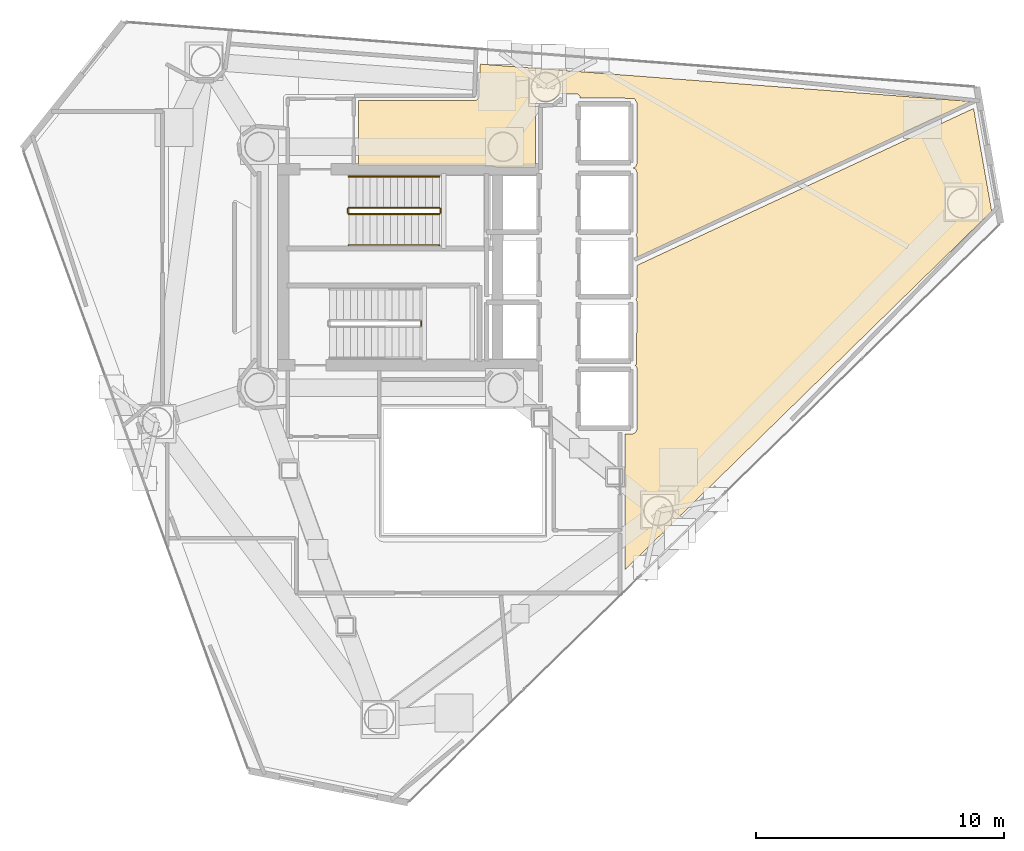
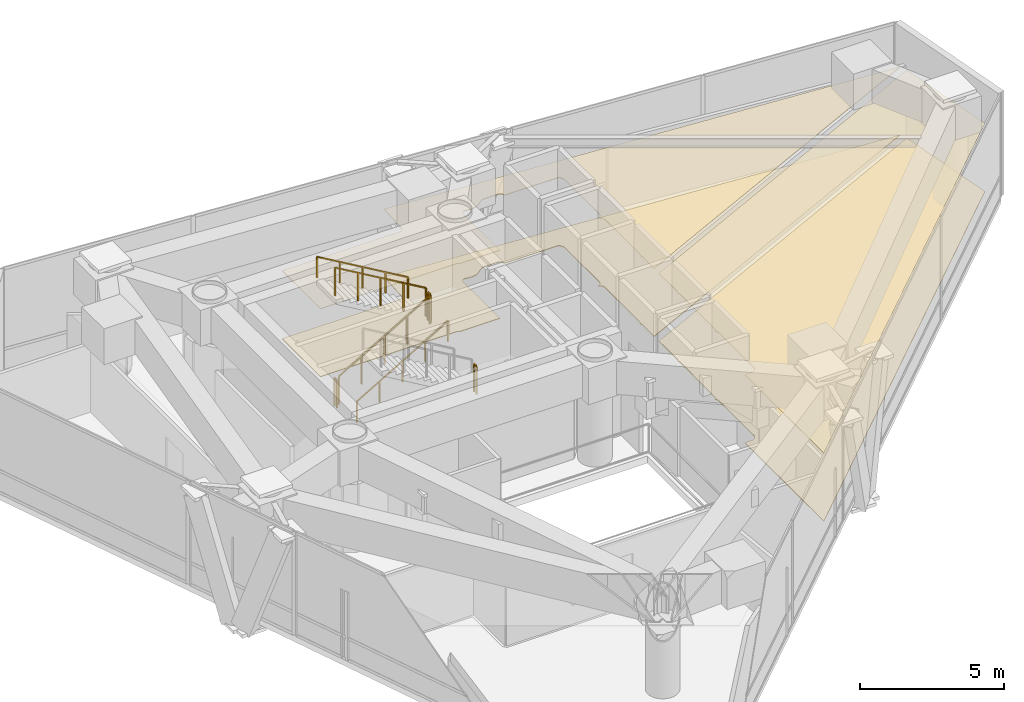
# One storey, part 20 of 20: 7 railings, 4 coverings.
"""IFC4 building model written with IfcOpenShell, lengths in metres."""

from ifc_helpers import new_model, si_unit, direction, frame, origin, origin_2d, place, context, subcontext, project, spatial, polyline, rectangle, outline, extrude, material, layer, layer_set, type_object, element, save


model = new_model("IFC4")

# Units and contexts
model_context = context("Model", 3, precision=1e-05, world=origin(), true_north=direction((0.0, 1.0)))
body_context = subcontext(model_context, "Body", "Model", "MODEL_VIEW")
ifc_project = project(units=[si_unit("LENGTHUNIT", "METRE"), si_unit("AREAUNIT", "SQUARE_METRE"), si_unit("VOLUMEUNIT", "CUBIC_METRE"), si_unit("PLANEANGLEUNIT", "RADIAN"), si_unit("MASSUNIT", "GRAM", prefix="KILO")], contexts=[model_context])

# Site, building, storey
site_placement = place(None, origin())
site = spatial("IfcSite", under=ifc_project, at=site_placement, CompositionType="ELEMENT")
building_placement = place(site_placement, origin())
building = spatial("IfcBuilding", under=site, at=building_placement, Name="Qianvela Tower", CompositionType="ELEMENT")
storey_placement = place(building_placement, frame((0.0, 0.0, 229.89990234375)))
storey = spatial("IfcBuildingStorey", under=building, at=storey_placement, Name="L59", CompositionType="ELEMENT", Elevation=229.89990234375)

# Coverings
ifc_material_1 = material(Name="Perforated Mineral Acoustic Ceiling Tile")
ifc_layer_1 = layer(ifc_material_1, 0.02490234375)
ifc_layer_set_1 = layer_set([ifc_layer_1], Name="Perforated Mineral Acoustic Ceiling Tile")
covering_type_1 = type_object("IfcCoveringType", Name="COV-CEIL-ACOUSTIC-25", PredefinedType="CEILING", material=ifc_layer_set_1)
covering_1_placement = place(storey_placement, frame((0.0, 0.0, 2.875)))
element("IfcCovering", 1, at=covering_1_placement, inside=storey, type_object=covering_type_1, Name="L59 Acoustic Ceiling L59 Fire Refuge Area 3", PredefinedType="CEILING", context=body_context, shape_type="SweptSolid", body=[
    extrude(outline(polyline([(43.640380859375, 32.699951171875), (43.722412109375, 32.739013671875), (43.729248046875, 32.74267578125), (43.73583984375, 32.746826171875), (43.741943359375, 32.751953125), (43.74755859375, 32.757568359375), (43.75244140625, 32.763427734375), (43.7568359375, 32.77001953125), (43.760498046875, 32.777099609375), (43.763427734375, 32.7841796875), (43.79541015625, 32.873046875), (43.7978515625, 32.8818359375), (43.799560546875, 32.890869140625), (43.800048828125, 32.89990234375), (43.800048828125, 35.300048828125), (43.7998046875, 35.30712890625), (43.798583984375, 35.314208984375), (43.797119140625, 35.3212890625), (43.794921875, 35.328125), (43.7919921875, 35.334716796875), (43.78857421875, 35.341064453125), (43.714599609375, 35.464599609375), (43.710205078125, 35.471435546875), (43.704833984375, 35.477783203125), (43.698974609375, 35.4833984375), (43.692626953125, 35.488525390625), (43.685791015625, 35.492919921875), (43.678466796875, 35.49658203125), (43.670654296875, 35.49951171875), (43.662841796875, 35.501708984375), (43.65478515625, 35.5029296875), (43.646484375, 35.50341796875), (41.515625, 35.519287109375), (41.513916015625, 35.554931640625), (41.512939453125, 35.563232421875), (41.51123046875, 35.5712890625), (41.508544921875, 35.5791015625), (41.50537109375, 35.5869140625), (41.501220703125, 35.593994140625), (41.496337890625, 35.6005859375), (41.49072265625, 35.60693359375), (41.484619140625, 35.612548828125), (41.426513671875, 35.660400390625), (41.420166015625, 35.6650390625), (41.413330078125, 35.6689453125), (41.40625, 35.67236328125), (41.39892578125, 35.675048828125), (41.391357421875, 35.677001953125), (41.383544921875, 35.677978515625), (41.375732421875, 35.678466796875), (40.750244140625, 35.679931640625), (40.742919921875, 35.6796875), (40.7353515625, 35.6787109375), (40.728271484375, 35.677001953125), (40.72119140625, 35.674560546875), (40.71435546875, 35.671630859375), (40.7080078125, 35.668212890625), (40.701904296875, 35.663818359375), (40.361083984375, 35.406982421875), (40.127197265625, 35.3603515625), (39.85107421875, 35.393310546875), (39.843505859375, 35.393798828125), (39.835693359375, 35.393798828125), (39.828125, 35.392822265625), (39.820556640625, 35.39111328125), (39.813232421875, 35.388916015625), (39.80615234375, 35.3857421875), (39.799560546875, 35.382080078125), (39.793212890625, 35.377685546875), (39.787109375, 35.37255859375), (39.781982421875, 35.3671875), (39.777099609375, 35.361083984375), (39.772705078125, 35.354736328125), (39.731201171875, 35.28466796875), (39.727294921875, 35.277099609375), (39.72412109375, 35.26904296875), (39.7216796875, 35.2607421875), (39.720458984375, 35.252197265625), (39.719970703125, 35.243896484375), (39.719970703125, 32.719970703125), (38.125, 32.719970703125), (38.03369140625, 32.762451171875), (38.025634765625, 32.765625), (38.017333984375, 32.76806640625), (38.0087890625, 32.76953125), (38.0, 32.77001953125), (32.580078125, 32.77001953125), (32.580078125, 35.420654296875), (37.3037109375, 35.42333984375), (37.311767578125, 35.423583984375), (37.31982421875, 35.4248046875), (37.32763671875, 35.427001953125), (37.335205078125, 35.4296875), (37.34228515625, 35.433349609375), (37.349365234375, 35.4375), (37.355712890625, 35.4423828125), (37.361572265625, 35.447998046875), (37.36669921875, 35.4541015625), (37.424072265625, 35.52783203125), (37.4287109375, 35.53466796875), (37.432861328125, 35.5419921875), (37.43603515625, 35.549560546875), (37.4384765625, 35.5576171875), (37.440185546875, 35.565673828125), (37.44091796875, 35.573974609375), (37.490478515625, 36.881103515625), (57.25390625, 35.376953125), (43.800048828125, 29.103271484375), (43.800048828125, 29.89990234375), (43.799560546875, 29.907958984375), (43.79833984375, 29.915771484375), (43.79638671875, 29.923583984375), (43.793701171875, 29.93115234375), (43.7646484375, 30.0), (43.793701171875, 30.06884765625), (43.79638671875, 30.076416015625), (43.79833984375, 30.084228515625), (43.799560546875, 30.092041015625), (43.800048828125, 30.10009765625), (43.800048828125, 32.5), (43.799560546875, 32.509033203125), (43.7978515625, 32.518310546875), (43.79541015625, 32.527099609375), (43.763427734375, 32.61572265625), (43.760498046875, 32.623046875), (43.7568359375, 32.6298828125), (43.75244140625, 32.636474609375), (43.74755859375, 32.642578125), (43.741943359375, 32.648193359375), (43.73583984375, 32.653076171875), (43.729248046875, 32.657470703125), (43.722412109375, 32.6611328125), (43.640380859375, 32.699951171875)])), origin(), (0.0, 0.0, 1.0), 0.025146484375),
])
covering_2_placement = place(storey_placement, frame((0.0, 0.0, 2.875)))
element("IfcCovering", 2, at=covering_2_placement, inside=storey, type_object=covering_type_1, Name="L59 Acoustic Ceiling L59 Hydronic Heat Exchanger and Fire Pump Room", PredefinedType="CEILING", context=body_context, shape_type="SweptSolid", body=[
    extrude(outline(polyline([(43.309326171875, 21.980712890625), (43.60791015625, 21.982666015625), (43.615478515625, 21.983154296875), (43.623291015625, 21.984375), (43.630859375, 21.986083984375), (43.637939453125, 21.98876953125), (43.64501953125, 21.9921875), (43.716796875, 22.030517578125), (43.723388671875, 22.034423828125), (43.729736328125, 22.039306640625), (43.735595703125, 22.04443359375), (43.74072265625, 22.05029296875), (43.74560546875, 22.056640625), (43.74951171875, 22.063232421875), (43.787841796875, 22.135009765625), (43.791259765625, 22.14208984375), (43.7939453125, 22.1494140625), (43.7958984375, 22.156982421875), (43.796875, 22.164794921875), (43.79736328125, 22.1728515625), (43.7939453125, 24.640625), (43.79345703125, 24.649169921875), (43.792236328125, 24.65771484375), (43.789794921875, 24.665771484375), (43.786865234375, 24.673583984375), (43.782958984375, 24.68115234375), (43.7783203125, 24.688232421875), (43.728271484375, 24.755615234375), (43.74462890625, 24.765380859375), (43.75146484375, 24.77001953125), (43.7578125, 24.775146484375), (43.763427734375, 24.781005859375), (43.7685546875, 24.787353515625), (43.77294921875, 24.794189453125), (43.776611328125, 24.8017578125), (43.779541015625, 24.809326171875), (43.78173828125, 24.817138671875), (43.782958984375, 24.8251953125), (43.783447265625, 24.83349609375), (43.800048828125, 27.299560546875), (43.799560546875, 27.3076171875), (43.798583984375, 27.315673828125), (43.79638671875, 27.323486328125), (43.793701171875, 27.3310546875), (43.7646484375, 27.39990234375), (43.793701171875, 27.468994140625), (43.79638671875, 27.476318359375), (43.79833984375, 27.484130859375), (43.799560546875, 27.491943359375), (43.800048828125, 27.5), (43.800048828125, 28.772216796875), (57.358154296875, 35.094482421875), (58.086669921875, 30.9541015625), (43.31005859375, 16.5078125), (43.309326171875, 21.980712890625)])), origin(), (0.0, 0.0, 1.0), 0.025146484375),
])
ifc_material_2 = material(Name="Honed Stone Terrazzo Flooring", Category="masonry")
ifc_layer_2 = layer(ifc_material_2, 0.030029296875)
ifc_layer_set_2 = layer_set([ifc_layer_2], Name="Honed Stone Terrazzo Flooring")
covering_type_2 = type_object("IfcCoveringType", Name="COV-FLOOR-TERRAZZO-30", PredefinedType="FLOORING", material=ifc_layer_set_2)
covering_3_placement = place(storey_placement, origin())
element("IfcCovering", 3, at=covering_3_placement, inside=storey, type_object=covering_type_2, Name="L59 Finish Flooring L59 Fire Refuge Area 3", PredefinedType="FLOORING", context=body_context, shape_type="SweptSolid", body=[
    extrude(outline(polyline([(43.640380859375, 32.699951171875), (43.722412109375, 32.739013671875), (43.729248046875, 32.74267578125), (43.73583984375, 32.746826171875), (43.741943359375, 32.751953125), (43.74755859375, 32.757568359375), (43.75244140625, 32.763427734375), (43.7568359375, 32.77001953125), (43.760498046875, 32.777099609375), (43.763427734375, 32.7841796875), (43.79541015625, 32.873046875), (43.7978515625, 32.8818359375), (43.799560546875, 32.890869140625), (43.800048828125, 32.89990234375), (43.800048828125, 35.300048828125), (43.7998046875, 35.30712890625), (43.798583984375, 35.314208984375), (43.797119140625, 35.3212890625), (43.794921875, 35.328125), (43.7919921875, 35.334716796875), (43.78857421875, 35.341064453125), (43.714599609375, 35.464599609375), (43.710205078125, 35.471435546875), (43.704833984375, 35.477783203125), (43.698974609375, 35.4833984375), (43.692626953125, 35.488525390625), (43.685791015625, 35.492919921875), (43.678466796875, 35.49658203125), (43.670654296875, 35.49951171875), (43.662841796875, 35.501708984375), (43.65478515625, 35.5029296875), (43.646484375, 35.50341796875), (41.515625, 35.519287109375), (41.513916015625, 35.554931640625), (41.512939453125, 35.563232421875), (41.51123046875, 35.5712890625), (41.508544921875, 35.5791015625), (41.50537109375, 35.5869140625), (41.501220703125, 35.593994140625), (41.496337890625, 35.6005859375), (41.49072265625, 35.60693359375), (41.484619140625, 35.612548828125), (41.426513671875, 35.660400390625), (41.420166015625, 35.6650390625), (41.413330078125, 35.6689453125), (41.40625, 35.67236328125), (41.39892578125, 35.675048828125), (41.391357421875, 35.677001953125), (41.383544921875, 35.677978515625), (41.375732421875, 35.678466796875), (40.750244140625, 35.679931640625), (40.742919921875, 35.6796875), (40.7353515625, 35.6787109375), (40.728271484375, 35.677001953125), (40.72119140625, 35.674560546875), (40.71435546875, 35.671630859375), (40.7080078125, 35.668212890625), (40.701904296875, 35.663818359375), (40.361083984375, 35.406982421875), (40.127197265625, 35.3603515625), (39.85107421875, 35.393310546875), (39.843505859375, 35.393798828125), (39.835693359375, 35.393798828125), (39.828125, 35.392822265625), (39.820556640625, 35.39111328125), (39.813232421875, 35.388916015625), (39.80615234375, 35.3857421875), (39.799560546875, 35.382080078125), (39.793212890625, 35.377685546875), (39.787109375, 35.37255859375), (39.781982421875, 35.3671875), (39.777099609375, 35.361083984375), (39.772705078125, 35.354736328125), (39.731201171875, 35.28466796875), (39.727294921875, 35.277099609375), (39.72412109375, 35.26904296875), (39.7216796875, 35.2607421875), (39.720458984375, 35.252197265625), (39.719970703125, 35.243896484375), (39.719970703125, 32.719970703125), (38.125, 32.719970703125), (38.03369140625, 32.762451171875), (38.025634765625, 32.765625), (38.017333984375, 32.76806640625), (38.0087890625, 32.76953125), (38.0, 32.77001953125), (32.580078125, 32.77001953125), (32.580078125, 35.420654296875), (37.3037109375, 35.42333984375), (37.311767578125, 35.423583984375), (37.31982421875, 35.4248046875), (37.32763671875, 35.427001953125), (37.335205078125, 35.4296875), (37.34228515625, 35.433349609375), (37.349365234375, 35.4375), (37.355712890625, 35.4423828125), (37.361572265625, 35.447998046875), (37.36669921875, 35.4541015625), (37.424072265625, 35.52783203125), (37.4287109375, 35.53466796875), (37.432861328125, 35.5419921875), (37.43603515625, 35.549560546875), (37.4384765625, 35.5576171875), (37.440185546875, 35.565673828125), (37.44091796875, 35.573974609375), (37.490478515625, 36.881103515625), (57.25390625, 35.376953125), (43.800048828125, 29.103271484375), (43.800048828125, 29.89990234375), (43.799560546875, 29.907958984375), (43.79833984375, 29.915771484375), (43.79638671875, 29.923583984375), (43.793701171875, 29.93115234375), (43.7646484375, 30.0), (43.793701171875, 30.06884765625), (43.79638671875, 30.076416015625), (43.79833984375, 30.084228515625), (43.799560546875, 30.092041015625), (43.800048828125, 30.10009765625), (43.800048828125, 32.5), (43.799560546875, 32.509033203125), (43.7978515625, 32.518310546875), (43.79541015625, 32.527099609375), (43.763427734375, 32.61572265625), (43.760498046875, 32.623046875), (43.7568359375, 32.6298828125), (43.75244140625, 32.636474609375), (43.74755859375, 32.642578125), (43.741943359375, 32.648193359375), (43.73583984375, 32.653076171875), (43.729248046875, 32.657470703125), (43.722412109375, 32.6611328125), (43.640380859375, 32.699951171875)])), origin(), (0.0, 0.0, 1.0), 0.030029296875),
])
covering_4_placement = place(storey_placement, origin())
element("IfcCovering", 4, at=covering_4_placement, inside=storey, type_object=covering_type_2, Name="L59 Finish Flooring L59 Hydronic Heat Exchanger and Fire Pump Room", PredefinedType="FLOORING", context=body_context, shape_type="SweptSolid", body=[
    extrude(outline(polyline([(43.309326171875, 21.980712890625), (43.60791015625, 21.982666015625), (43.615478515625, 21.983154296875), (43.623291015625, 21.984375), (43.630859375, 21.986083984375), (43.637939453125, 21.98876953125), (43.64501953125, 21.9921875), (43.716796875, 22.030517578125), (43.723388671875, 22.034423828125), (43.729736328125, 22.039306640625), (43.735595703125, 22.04443359375), (43.74072265625, 22.05029296875), (43.74560546875, 22.056640625), (43.74951171875, 22.063232421875), (43.787841796875, 22.135009765625), (43.791259765625, 22.14208984375), (43.7939453125, 22.1494140625), (43.7958984375, 22.156982421875), (43.796875, 22.164794921875), (43.79736328125, 22.1728515625), (43.7939453125, 24.640625), (43.79345703125, 24.649169921875), (43.792236328125, 24.65771484375), (43.789794921875, 24.665771484375), (43.786865234375, 24.673583984375), (43.782958984375, 24.68115234375), (43.7783203125, 24.688232421875), (43.728271484375, 24.755615234375), (43.74462890625, 24.765380859375), (43.75146484375, 24.77001953125), (43.7578125, 24.775146484375), (43.763427734375, 24.781005859375), (43.7685546875, 24.787353515625), (43.77294921875, 24.794189453125), (43.776611328125, 24.8017578125), (43.779541015625, 24.809326171875), (43.78173828125, 24.817138671875), (43.782958984375, 24.8251953125), (43.783447265625, 24.83349609375), (43.800048828125, 27.299560546875), (43.799560546875, 27.3076171875), (43.798583984375, 27.315673828125), (43.79638671875, 27.323486328125), (43.793701171875, 27.3310546875), (43.7646484375, 27.39990234375), (43.793701171875, 27.468994140625), (43.79638671875, 27.476318359375), (43.79833984375, 27.484130859375), (43.799560546875, 27.491943359375), (43.800048828125, 27.5), (43.800048828125, 28.772216796875), (57.358154296875, 35.094482421875), (58.086669921875, 30.9541015625), (43.31005859375, 16.5078125), (43.309326171875, 21.980712890625)])), origin(), (0.0, 0.0, 1.0), 0.030029296875),
])

# Railings
ifc_material_3 = material(Name="Painted Tubular Steel Q355B", Category="steel")
railing_type_1 = type_object("IfcRailingType", Name="RL-STAIR-GUARD-1200", PredefinedType="GUARDRAIL", material=ifc_material_3)
railing_1_placement = place(storey_placement, frame((32.199951171875, 30.840087890625, 0.164306640625)))
element("IfcRailing", 5, at=railing_1_placement, inside=storey, type_object=railing_type_1, Name="L59 ST-1 stair guard 1", PredefinedType="GUARDRAIL", context=body_context, shape_type="SweptSolid", body=[
    extrude(rectangle(XDim=0.050048828125, YDim=0.0400390625, at=origin_2d()), frame((0.0, 0.0, 1.179931640625), z_axis=(0.862504707072, 0.0, 0.506049039401), x_axis=(0.0, 1.0, 0.0)), (0.0, 0.0, 1.0), 4.220458984375),
    extrude(rectangle(XDim=0.050048828125, YDim=0.050048828125, at=origin_2d()), origin(), (0.0, 0.0, 1.0), 1.159912109375),
    extrude(rectangle(XDim=0.050048828125, YDim=0.050048828125, at=origin_2d()), frame((0.91015625, 0.0, 0.533935546875)), (0.0, 0.0, 1.0), 1.159912109375),
    extrude(rectangle(XDim=0.050048828125, YDim=0.050048828125, at=origin_2d()), frame((1.820068359375, 0.0, 1.06787109375)), (0.0, 0.0, 1.0), 1.159912109375),
    extrude(rectangle(XDim=0.050048828125, YDim=0.050048828125, at=origin_2d()), frame((2.72998046875, 0.0, 1.601806640625)), (0.0, 0.0, 1.0), 1.159912109375),
    extrude(rectangle(XDim=0.050048828125, YDim=0.050048828125, at=origin_2d()), frame((3.64013671875, 0.0, 2.1357421875)), (0.0, 0.0, 1.0), 1.159912109375),
])
railing_2_placement = place(storey_placement, frame((35.889892578125, 30.889892578125, 2.300048828125)))
element("IfcRailing", 6, at=railing_2_placement, inside=storey, type_object=railing_type_1, Name="L59 ST-1 stair guard 2", PredefinedType="GUARDRAIL", context=body_context, shape_type="SweptSolid", body=[
    extrude(rectangle(XDim=0.050048828125, YDim=0.0400390625, at=origin_2d()), frame((0.0, 0.0, 1.179931640625), z_axis=(0.0, 1.0, 0.0), x_axis=(-1.0, 0.0, 0.0)), (0.0, 0.0, 1.0), 0.16015625),
    extrude(rectangle(XDim=0.050048828125, YDim=0.050048828125, at=origin_2d()), origin(), (0.0, 0.0, 1.0), 1.159912109375),
    extrude(rectangle(XDim=0.050048828125, YDim=0.050048828125, at=origin_2d()), frame((0.0, 0.16015625, 0.0)), (0.0, 0.0, 1.0), 1.159912109375),
])
railing_3_placement = place(storey_placement, frame((35.840087890625, 31.10009765625, 2.46435546875)))
element("IfcRailing", 7, at=railing_3_placement, inside=storey, type_object=railing_type_1, Name="L59 ST-1 stair guard 3", PredefinedType="GUARDRAIL", context=body_context, shape_type="SweptSolid", body=[
    extrude(rectangle(XDim=0.050048828125, YDim=0.0400390625, at=origin_2d()), frame((0.0, 0.0, 1.179931640625), z_axis=(-0.862504707072, 0.0, 0.506049039401), x_axis=(0.0, -1.0, 0.0)), (0.0, 0.0, 1.0), 4.220458984375),
    extrude(rectangle(XDim=0.050048828125, YDim=0.050048828125, at=origin_2d()), origin(), (0.0, 0.0, 1.0), 1.159912109375),
    extrude(rectangle(XDim=0.050048828125, YDim=0.050048828125, at=origin_2d()), frame((-0.91015625, 0.0, 0.533935546875)), (0.0, 0.0, 1.0), 1.159912109375),
    extrude(rectangle(XDim=0.050048828125, YDim=0.050048828125, at=origin_2d()), frame((-1.820068359375, 0.0, 1.06787109375)), (0.0, 0.0, 1.0), 1.159912109375),
    extrude(rectangle(XDim=0.050048828125, YDim=0.050048828125, at=origin_2d()), frame((-2.72998046875, 0.0, 1.601806640625)), (0.0, 0.0, 1.0), 1.159912109375),
    extrude(rectangle(XDim=0.050048828125, YDim=0.050048828125, at=origin_2d()), frame((-3.64013671875, 0.0, 2.1357421875)), (0.0, 0.0, 1.0), 1.159912109375),
])
railing_4_placement = place(storey_placement, frame((32.14990234375, 30.889892578125, 0.0)))
element("IfcRailing", 8, at=railing_4_placement, inside=storey, type_object=railing_type_1, Name="L59 ST-1 stair guard 4", PredefinedType="GUARDRAIL", context=body_context, shape_type="SweptSolid", body=[
    extrude(rectangle(XDim=0.050048828125, YDim=0.0400390625, at=origin_2d()), frame((0.0, 0.0, 1.179931640625), z_axis=(0.0, 1.0, 0.0), x_axis=(-1.0, 0.0, 0.0)), (0.0, 0.0, 1.0), 0.16015625),
    extrude(rectangle(XDim=0.050048828125, YDim=0.050048828125, at=origin_2d()), origin(), (0.0, 0.0, 1.0), 1.159912109375),
    extrude(rectangle(XDim=0.050048828125, YDim=0.050048828125, at=origin_2d()), frame((0.0, 0.16015625, 0.0)), (0.0, 0.0, 1.0), 1.159912109375),
])
railing_5_placement = place(storey_placement, frame((35.110107421875, 26.35009765625, 2.300048828125)))
element("IfcRailing", 9, at=railing_5_placement, inside=storey, type_object=railing_type_1, Name="L59 ST-2 stair guard 2", PredefinedType="GUARDRAIL", context=body_context, shape_type="SweptSolid", body=[
    extrude(rectangle(XDim=0.050048828125, YDim=0.0400390625, at=origin_2d()), frame((0.0, 0.0, 1.179931640625), z_axis=(0.0, 1.0, 0.0), x_axis=(-1.0, 0.0, 0.0)), (0.0, 0.0, 1.0), 0.159912109375),
    extrude(rectangle(XDim=0.050048828125, YDim=0.050048828125, at=origin_2d()), origin(), (0.0, 0.0, 1.0), 1.159912109375),
    extrude(rectangle(XDim=0.050048828125, YDim=0.050048828125, at=origin_2d()), frame((0.0, 0.159912109375, 0.0)), (0.0, 0.0, 1.0), 1.159912109375),
])
ifc_material_4 = material(Name="Brushed Stainless Steel 304", Category="steel")
railing_type_2 = type_object("IfcRailingType", Name="RL-STAIR-HANDRAIL-900", PredefinedType="HANDRAIL", material=ifc_material_4)
railing_6_placement = place(storey_placement, frame((32.199951171875, 29.590087890625, 0.164306640625)))
element("IfcRailing", 10, at=railing_6_placement, inside=storey, type_object=railing_type_2, Name="L59 ST-1 stair handrail 1", PredefinedType="HANDRAIL", context=body_context, shape_type="SweptSolid", body=[
    extrude(rectangle(XDim=0.050048828125, YDim=0.0400390625, at=origin_2d()), frame((0.0, 0.0, 0.8798828125), z_axis=(0.862504707072, 0.0, 0.506049039401), x_axis=(0.0, 1.0, 0.0)), (0.0, 0.0, 1.0), 4.220458984375),
    extrude(rectangle(XDim=0.050048828125, YDim=0.050048828125, at=origin_2d()), origin(), (0.0, 0.0, 1.0), 0.85986328125),
    extrude(rectangle(XDim=0.050048828125, YDim=0.050048828125, at=origin_2d()), frame((0.91015625, 0.0, 0.533935546875)), (0.0, 0.0, 1.0), 0.85986328125),
    extrude(rectangle(XDim=0.050048828125, YDim=0.050048828125, at=origin_2d()), frame((1.820068359375, 0.0, 1.06787109375)), (0.0, 0.0, 1.0), 0.85986328125),
    extrude(rectangle(XDim=0.050048828125, YDim=0.050048828125, at=origin_2d()), frame((2.72998046875, 0.0, 1.601806640625)), (0.0, 0.0, 1.0), 0.85986328125),
    extrude(rectangle(XDim=0.050048828125, YDim=0.050048828125, at=origin_2d()), frame((3.64013671875, 0.0, 2.1357421875)), (0.0, 0.0, 1.0), 0.85986328125),
])
railing_7_placement = place(storey_placement, frame((35.840087890625, 32.35009765625, 2.46435546875)))
element("IfcRailing", 11, at=railing_7_placement, inside=storey, type_object=railing_type_2, Name="L59 ST-1 stair handrail 2", PredefinedType="HANDRAIL", context=body_context, shape_type="SweptSolid", body=[
    extrude(rectangle(XDim=0.050048828125, YDim=0.0400390625, at=origin_2d()), frame((0.0, 0.0, 0.8798828125), z_axis=(-0.862504707072, 0.0, 0.506049039401), x_axis=(0.0, -1.0, 0.0)), (0.0, 0.0, 1.0), 4.220458984375),
    extrude(rectangle(XDim=0.050048828125, YDim=0.050048828125, at=origin_2d()), origin(), (0.0, 0.0, 1.0), 0.85986328125),
    extrude(rectangle(XDim=0.050048828125, YDim=0.050048828125, at=origin_2d()), frame((-0.91015625, 0.0, 0.533935546875)), (0.0, 0.0, 1.0), 0.85986328125),
    extrude(rectangle(XDim=0.050048828125, YDim=0.050048828125, at=origin_2d()), frame((-1.820068359375, 0.0, 1.06787109375)), (0.0, 0.0, 1.0), 0.85986328125),
    extrude(rectangle(XDim=0.050048828125, YDim=0.050048828125, at=origin_2d()), frame((-2.72998046875, 0.0, 1.601806640625)), (0.0, 0.0, 1.0), 0.85986328125),
    extrude(rectangle(XDim=0.050048828125, YDim=0.050048828125, at=origin_2d()), frame((-3.64013671875, 0.0, 2.1357421875)), (0.0, 0.0, 1.0), 0.85986328125),
])

save(model, "model.ifc")
